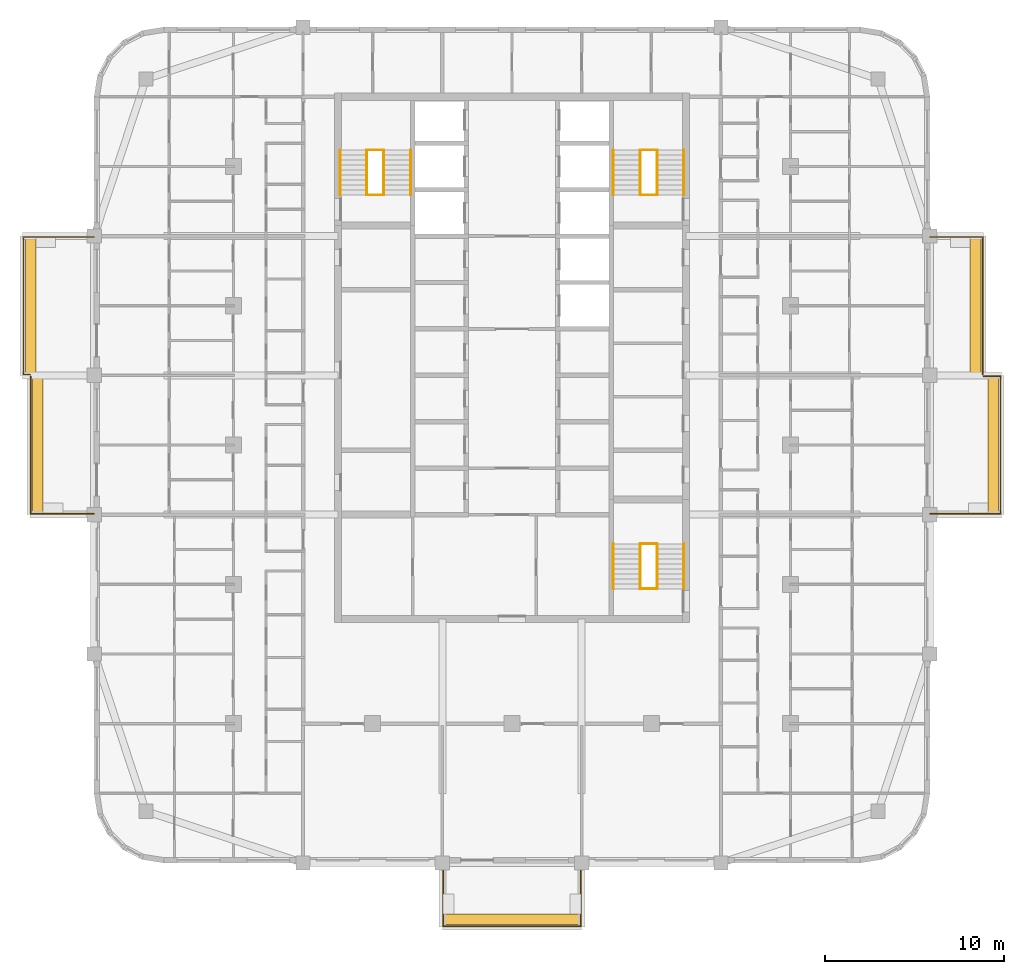
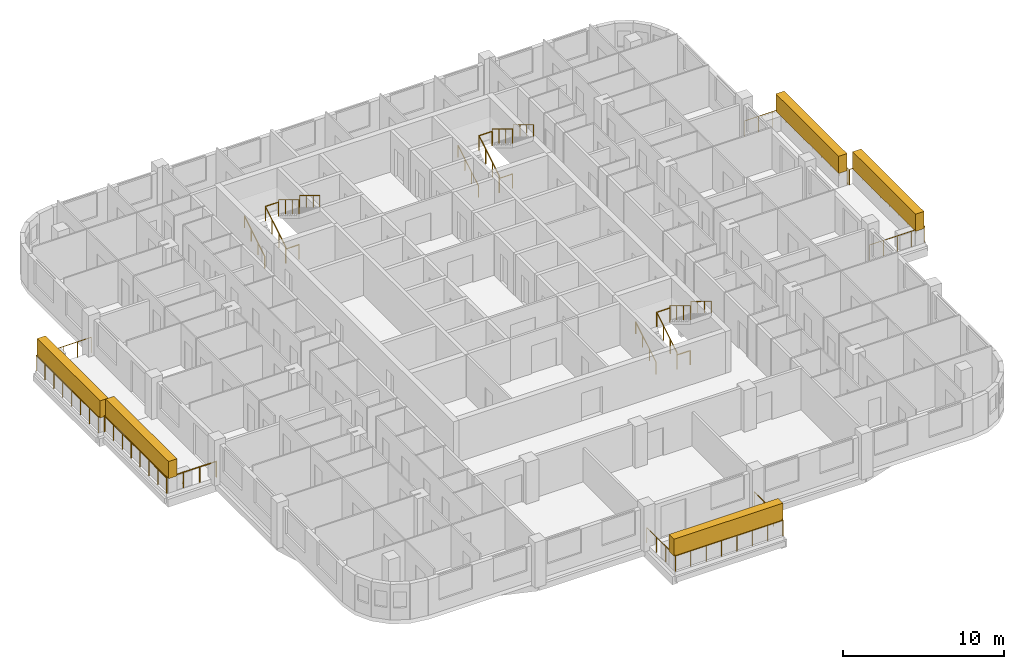
# One storey, part 15 of 15: 23 railings, 5 coverings, 3 elements without a shape of their own.
"""IFC4 building model written with IfcOpenShell, lengths in metres."""

from ifc_helpers import new_model, si_unit, direction, frame, origin, origin_2d, place, context, subcontext, project, spatial, rectangle, circle, extrude, material, layer, layer_set, type_object, element, aggregate, save


model = new_model("IFC4")

# Units and contexts
model_context = context("Model", 3, precision=1e-05, world=origin(), true_north=direction((0.0, 1.0)))
body_context = subcontext(model_context, "Body", "Model", "MODEL_VIEW")
ifc_project = project(units=[si_unit("LENGTHUNIT", "METRE"), si_unit("AREAUNIT", "SQUARE_METRE"), si_unit("VOLUMEUNIT", "CUBIC_METRE"), si_unit("PLANEANGLEUNIT", "RADIAN"), si_unit("MASSUNIT", "GRAM", prefix="KILO")], contexts=[model_context])

# Site, building, storey
site_placement = place(None, origin())
site = spatial("IfcSite", under=ifc_project, at=site_placement, CompositionType="ELEMENT")
building_placement = place(site_placement, origin())
building = spatial("IfcBuilding", under=site, at=building_placement, Name="Ludao Terraces", CompositionType="ELEMENT")
storey_placement = place(building_placement, frame((0.0, 0.0, 197.300048828125)))
storey = spatial("IfcBuildingStorey", under=building, at=storey_placement, Name="L53", CompositionType="ELEMENT", Elevation=197.300048828125)

# Railings
ifc_material_1 = material(Name="Stainless steel 304", Category="steel")
railing_type_1 = type_object("IfcRailingType", Name="ENV Balcony glass guard 1200", PredefinedType="GUARDRAIL", material=ifc_material_1)
railing_1_placement = place(storey_placement, frame((81.14990234375, 41.60009765625, 0.0)))
element("IfcRailing", 1, at=railing_1_placement, inside=storey, type_object=railing_type_1, Name="Balcony guard L53 S1", PredefinedType="GUARDRAIL", context=body_context, shape_type="SweptSolid", body=[
    extrude(circle(Radius=0.02392578125, at=origin_2d()), frame((0.0, 0.0, 1.17578125), z_axis=(0.0, -1.0, 0.0), x_axis=(1.0, 0.0, 0.0)), (0.0, 0.0, 1.0), 3.550048828125),
    extrude(circle(Radius=0.02392578125, at=origin_2d()), frame((0.0, -3.550048828125, 1.17578125), z_axis=(1.0, 0.0, 0.0), x_axis=(0.0, 1.0, 0.0)), (0.0, 0.0, 1.0), 7.7001953125),
    extrude(circle(Radius=0.02392578125, at=origin_2d()), frame((7.7001953125, -3.550048828125, 1.17578125), z_axis=(0.0, 1.0, 0.0), x_axis=(-1.0, 0.0, 0.0)), (0.0, 0.0, 1.0), 3.550048828125),
    extrude(circle(Radius=0.02099609375, at=origin_2d()), origin(), (0.0, 0.0, 1.0), 1.15185546875),
    extrude(circle(Radius=0.02099609375, at=origin_2d()), frame((0.0, -1.183349609375, 0.0)), (0.0, 0.0, 1.0), 1.15185546875),
    extrude(circle(Radius=0.02099609375, at=origin_2d()), frame((0.0, -2.36669921875, 0.0)), (0.0, 0.0, 1.0), 1.15185546875),
    extrude(circle(Radius=0.02099609375, at=origin_2d()), frame((0.0, -3.550048828125, 0.0)), (0.0, 0.0, 1.0), 1.15185546875),
    extrude(circle(Radius=0.02099609375, at=origin_2d()), frame((1.10009765625, -3.550048828125, 0.0)), (0.0, 0.0, 1.0), 1.15185546875),
    extrude(circle(Radius=0.02099609375, at=origin_2d()), frame((2.199951171875, -3.550048828125, 0.0)), (0.0, 0.0, 1.0), 1.15185546875),
    extrude(circle(Radius=0.02099609375, at=origin_2d()), frame((3.300048828125, -3.550048828125, 0.0)), (0.0, 0.0, 1.0), 1.15185546875),
    extrude(circle(Radius=0.02099609375, at=origin_2d()), frame((4.400146484375, -3.550048828125, 0.0)), (0.0, 0.0, 1.0), 1.15185546875),
    extrude(circle(Radius=0.02099609375, at=origin_2d()), frame((5.500244140625, -3.550048828125, 0.0)), (0.0, 0.0, 1.0), 1.15185546875),
    extrude(circle(Radius=0.02099609375, at=origin_2d()), frame((6.60009765625, -3.550048828125, 0.0)), (0.0, 0.0, 1.0), 1.15185546875),
    extrude(circle(Radius=0.02099609375, at=origin_2d()), frame((7.7001953125, -3.550048828125, 0.0)), (0.0, 0.0, 1.0), 1.15185546875),
    extrude(circle(Radius=0.02099609375, at=origin_2d()), frame((7.7001953125, -2.36669921875, 0.0)), (0.0, 0.0, 1.0), 1.15185546875),
    extrude(circle(Radius=0.02099609375, at=origin_2d()), frame((7.7001953125, -1.183349609375, 0.0)), (0.0, 0.0, 1.0), 1.15185546875),
    extrude(circle(Radius=0.02099609375, at=origin_2d()), frame((7.7001953125, 0.0, 0.0)), (0.0, 0.0, 1.0), 1.15185546875),
])
railing_2_placement = place(storey_placement, frame((108.39990234375, 61.14990234375, 0.0)))
element("IfcRailing", 2, at=railing_2_placement, inside=storey, type_object=railing_type_1, Name="Balcony guard L53 E1", PredefinedType="GUARDRAIL", context=body_context, shape_type="SweptSolid", body=[
    extrude(circle(Radius=0.02392578125, at=origin_2d()), frame((0.0, 0.0, 1.17578125), z_axis=(1.0, 0.0, 0.0), x_axis=(0.0, 1.0, 0.0)), (0.0, 0.0, 1.0), 3.9501953125),
    extrude(circle(Radius=0.02392578125, at=origin_2d()), frame((3.9501953125, 0.0, 1.17578125), z_axis=(0.0, 1.0, 0.0), x_axis=(-1.0, 0.0, 0.0)), (0.0, 0.0, 1.0), 7.7001953125),
    extrude(circle(Radius=0.02392578125, at=origin_2d()), frame((3.9501953125, 7.7001953125, 1.17578125), z_axis=(-1.0, 0.0, 0.0), x_axis=(0.0, -1.0, 0.0)), (0.0, 0.0, 1.0), 0.9501953125),
    extrude(circle(Radius=0.02099609375, at=origin_2d()), origin(), (0.0, 0.0, 1.0), 1.15185546875),
    extrude(circle(Radius=0.02099609375, at=origin_2d()), frame((0.987548828125, 0.0, 0.0)), (0.0, 0.0, 1.0), 1.15185546875),
    extrude(circle(Radius=0.02099609375, at=origin_2d()), frame((1.97509765625, 0.0, 0.0)), (0.0, 0.0, 1.0), 1.15185546875),
    extrude(circle(Radius=0.02099609375, at=origin_2d()), frame((2.962646484375, 0.0, 0.0)), (0.0, 0.0, 1.0), 1.15185546875),
    extrude(circle(Radius=0.02099609375, at=origin_2d()), frame((3.9501953125, 0.0, 0.0)), (0.0, 0.0, 1.0), 1.15185546875),
    extrude(circle(Radius=0.02099609375, at=origin_2d()), frame((3.9501953125, 1.10009765625, 0.0)), (0.0, 0.0, 1.0), 1.15185546875),
    extrude(circle(Radius=0.02099609375, at=origin_2d()), frame((3.9501953125, 2.199951171875, 0.0)), (0.0, 0.0, 1.0), 1.15185546875),
    extrude(circle(Radius=0.02099609375, at=origin_2d()), frame((3.9501953125, 3.300048828125, 0.0)), (0.0, 0.0, 1.0), 1.15185546875),
    extrude(circle(Radius=0.02099609375, at=origin_2d()), frame((3.9501953125, 4.400146484375, 0.0)), (0.0, 0.0, 1.0), 1.15185546875),
    extrude(circle(Radius=0.02099609375, at=origin_2d()), frame((3.9501953125, 5.500244140625, 0.0)), (0.0, 0.0, 1.0), 1.15185546875),
    extrude(circle(Radius=0.02099609375, at=origin_2d()), frame((3.9501953125, 6.60009765625, 0.0)), (0.0, 0.0, 1.0), 1.15185546875),
    extrude(circle(Radius=0.02099609375, at=origin_2d()), frame((3.9501953125, 7.7001953125, 0.0)), (0.0, 0.0, 1.0), 1.15185546875),
    extrude(circle(Radius=0.02099609375, at=origin_2d()), frame((3.0, 7.7001953125, 0.0)), (0.0, 0.0, 1.0), 1.15185546875),
])
railing_3_placement = place(storey_placement, frame((111.35009765625, 68.949951171875, 0.0)))
element("IfcRailing", 3, at=railing_3_placement, inside=storey, type_object=railing_type_1, Name="Balcony guard L53 E2", PredefinedType="GUARDRAIL", context=body_context, shape_type="SweptSolid", body=[
    extrude(circle(Radius=0.02392578125, at=origin_2d()), frame((0.0, 0.0, 1.17578125), z_axis=(0.0, 1.0, 0.0), x_axis=(-1.0, 0.0, 0.0)), (0.0, 0.0, 1.0), 7.699951171875),
    extrude(circle(Radius=0.02392578125, at=origin_2d()), frame((0.0, 7.699951171875, 1.17578125), z_axis=(-1.0, 0.0, 0.0), x_axis=(0.0, -1.0, 0.0)), (0.0, 0.0, 1.0), 2.9501953125),
    extrude(circle(Radius=0.02099609375, at=origin_2d()), origin(), (0.0, 0.0, 1.0), 1.15185546875),
    extrude(circle(Radius=0.02099609375, at=origin_2d()), frame((0.0, 1.10009765625, 0.0)), (0.0, 0.0, 1.0), 1.15185546875),
    extrude(circle(Radius=0.02099609375, at=origin_2d()), frame((0.0, 2.199951171875, 0.0)), (0.0, 0.0, 1.0), 1.15185546875),
    extrude(circle(Radius=0.02099609375, at=origin_2d()), frame((0.0, 3.300048828125, 0.0)), (0.0, 0.0, 1.0), 1.15185546875),
    extrude(circle(Radius=0.02099609375, at=origin_2d()), frame((0.0, 4.39990234375, 0.0)), (0.0, 0.0, 1.0), 1.15185546875),
    extrude(circle(Radius=0.02099609375, at=origin_2d()), frame((0.0, 5.5, 0.0)), (0.0, 0.0, 1.0), 1.15185546875),
    extrude(circle(Radius=0.02099609375, at=origin_2d()), frame((0.0, 6.599853515625, 0.0)), (0.0, 0.0, 1.0), 1.15185546875),
    extrude(circle(Radius=0.02099609375, at=origin_2d()), frame((0.0, 7.699951171875, 0.0)), (0.0, 0.0, 1.0), 1.15185546875),
    extrude(circle(Radius=0.02099609375, at=origin_2d()), frame((-0.9833984375, 7.699951171875, 0.0)), (0.0, 0.0, 1.0), 1.15185546875),
    extrude(circle(Radius=0.02099609375, at=origin_2d()), frame((-1.966796875, 7.699951171875, 0.0)), (0.0, 0.0, 1.0), 1.15185546875),
    extrude(circle(Radius=0.02099609375, at=origin_2d()), frame((-2.9501953125, 7.699951171875, 0.0)), (0.0, 0.0, 1.0), 1.15185546875),
])
railing_4_placement = place(storey_placement, frame((61.60009765625, 61.14990234375, 0.0)))
element("IfcRailing", 4, at=railing_4_placement, inside=storey, type_object=railing_type_1, Name="Balcony guard L53 W1", PredefinedType="GUARDRAIL", context=body_context, shape_type="SweptSolid", body=[
    extrude(circle(Radius=0.02392578125, at=origin_2d()), frame((0.0, 0.0, 1.17578125), z_axis=(-1.0, 0.0, 0.0), x_axis=(0.0, -1.0, 0.0)), (0.0, 0.0, 1.0), 3.550048828125),
    extrude(circle(Radius=0.02392578125, at=origin_2d()), frame((-3.550048828125, 0.0, 1.17578125), z_axis=(0.0, 1.0, 0.0), x_axis=(-1.0, 0.0, 0.0)), (0.0, 0.0, 1.0), 7.7001953125),
    extrude(circle(Radius=0.02099609375, at=origin_2d()), origin(), (0.0, 0.0, 1.0), 1.15185546875),
    extrude(circle(Radius=0.02099609375, at=origin_2d()), frame((-1.183349609375, 0.0, 0.0)), (0.0, 0.0, 1.0), 1.15185546875),
    extrude(circle(Radius=0.02099609375, at=origin_2d()), frame((-2.36669921875, 0.0, 0.0)), (0.0, 0.0, 1.0), 1.15185546875),
    extrude(circle(Radius=0.02099609375, at=origin_2d()), frame((-3.550048828125, 0.0, 0.0)), (0.0, 0.0, 1.0), 1.15185546875),
    extrude(circle(Radius=0.02099609375, at=origin_2d()), frame((-3.550048828125, 1.10009765625, 0.0)), (0.0, 0.0, 1.0), 1.15185546875),
    extrude(circle(Radius=0.02099609375, at=origin_2d()), frame((-3.550048828125, 2.199951171875, 0.0)), (0.0, 0.0, 1.0), 1.15185546875),
    extrude(circle(Radius=0.02099609375, at=origin_2d()), frame((-3.550048828125, 3.300048828125, 0.0)), (0.0, 0.0, 1.0), 1.15185546875),
    extrude(circle(Radius=0.02099609375, at=origin_2d()), frame((-3.550048828125, 4.400146484375, 0.0)), (0.0, 0.0, 1.0), 1.15185546875),
    extrude(circle(Radius=0.02099609375, at=origin_2d()), frame((-3.550048828125, 5.500244140625, 0.0)), (0.0, 0.0, 1.0), 1.15185546875),
    extrude(circle(Radius=0.02099609375, at=origin_2d()), frame((-3.550048828125, 6.60009765625, 0.0)), (0.0, 0.0, 1.0), 1.15185546875),
    extrude(circle(Radius=0.02099609375, at=origin_2d()), frame((-3.550048828125, 7.7001953125, 0.0)), (0.0, 0.0, 1.0), 1.15185546875),
])
railing_5_placement = place(storey_placement, frame((58.0, 68.949951171875, 0.0)))
element("IfcRailing", 5, at=railing_5_placement, inside=storey, type_object=railing_type_1, Name="Balcony guard L53 W2", PredefinedType="GUARDRAIL", context=body_context, shape_type="SweptSolid", body=[
    extrude(circle(Radius=0.02392578125, at=origin_2d()), frame((0.0, 0.0, 1.17578125), z_axis=(-1.0, 0.0, 0.0), x_axis=(0.0, -1.0, 0.0)), (0.0, 0.0, 1.0), 0.35009765625),
    extrude(circle(Radius=0.02392578125, at=origin_2d()), frame((-0.35009765625, 0.0, 1.17578125), z_axis=(0.0, 1.0, 0.0), x_axis=(-1.0, 0.0, 0.0)), (0.0, 0.0, 1.0), 7.699951171875),
    extrude(circle(Radius=0.02392578125, at=origin_2d()), frame((-0.35009765625, 7.699951171875, 1.17578125), z_axis=(1.0, 0.0, 0.0), x_axis=(0.0, 1.0, 0.0)), (0.0, 0.0, 1.0), 3.9501953125),
    extrude(circle(Radius=0.02099609375, at=origin_2d()), origin(), (0.0, 0.0, 1.0), 1.15185546875),
    extrude(circle(Radius=0.02099609375, at=origin_2d()), frame((-0.35009765625, 0.0, 0.0)), (0.0, 0.0, 1.0), 1.15185546875),
    extrude(circle(Radius=0.02099609375, at=origin_2d()), frame((-0.35009765625, 1.10009765625, 0.0)), (0.0, 0.0, 1.0), 1.15185546875),
    extrude(circle(Radius=0.02099609375, at=origin_2d()), frame((-0.35009765625, 2.199951171875, 0.0)), (0.0, 0.0, 1.0), 1.15185546875),
    extrude(circle(Radius=0.02099609375, at=origin_2d()), frame((-0.35009765625, 3.300048828125, 0.0)), (0.0, 0.0, 1.0), 1.15185546875),
    extrude(circle(Radius=0.02099609375, at=origin_2d()), frame((-0.35009765625, 4.39990234375, 0.0)), (0.0, 0.0, 1.0), 1.15185546875),
    extrude(circle(Radius=0.02099609375, at=origin_2d()), frame((-0.35009765625, 5.5, 0.0)), (0.0, 0.0, 1.0), 1.15185546875),
    extrude(circle(Radius=0.02099609375, at=origin_2d()), frame((-0.35009765625, 6.599853515625, 0.0)), (0.0, 0.0, 1.0), 1.15185546875),
    extrude(circle(Radius=0.02099609375, at=origin_2d()), frame((-0.35009765625, 7.699951171875, 0.0)), (0.0, 0.0, 1.0), 1.15185546875),
    extrude(circle(Radius=0.02099609375, at=origin_2d()), frame((0.637451171875, 7.699951171875, 0.0)), (0.0, 0.0, 1.0), 1.15185546875),
    extrude(circle(Radius=0.02099609375, at=origin_2d()), frame((1.625, 7.699951171875, 0.0)), (0.0, 0.0, 1.0), 1.15185546875),
    extrude(circle(Radius=0.02099609375, at=origin_2d()), frame((2.612548828125, 7.699951171875, 0.0)), (0.0, 0.0, 1.0), 1.15185546875),
    extrude(circle(Radius=0.02099609375, at=origin_2d()), frame((3.60009765625, 7.699951171875, 0.0)), (0.0, 0.0, 1.0), 1.15185546875),
])

# Coverings
ifc_material_2 = material(Name="Planting")
ifc_layer = layer(ifc_material_2, 0.60009765625)
ifc_layer_set = layer_set([ifc_layer], Name="ENV Planting hedge 600x1300")
covering_type = type_object("IfcCoveringType", Name="ENV Planting hedge 600x1300", PredefinedType="USERDEFINED", material=ifc_layer_set)
covering_placement = place(storey_placement, frame((85.0, 38.449951171875, 1.10009765625), z_axis=(0.0, 0.0, 1.0), x_axis=(1.0, 0.0, 0.0)))
element("IfcCovering", 6, at=covering_placement, inside=storey, type_object=covering_type, Name="Planting hedge L53-S1", ObjectType="PLANTING", PredefinedType="USERDEFINED", context=body_context, shape_type="SweptSolid", body=[
    extrude(rectangle(XDim=7.800048828125, YDim=0.60009765625, at=origin_2d()), origin(), (0.0, 0.0, 1.0), 1.300048828125),
])
for number, where, z_axis, x_axis, name in (
    (7, (111.949951171875, 65.0, 1.10009765625), (0.0, 0.0, 1.0), (1.0, 0.0, 0.0), "Planting hedge L53-E1"),
    (8, (110.949951171875, 72.800048828125, 1.10009765625), (0.0, 0.0, 1.0), (1.0, 0.0, 0.0), "Planting hedge L53-E2"),
    (9, (58.449951171875, 65.0, 1.10009765625), (0.0, 0.0, 1.0), (1.0, 0.0, 0.0), "Planting hedge L53-W1"),
    (10, (58.050048828125, 72.800048828125, 1.10009765625), (0.0, 0.0, 1.0), (1.0, 0.0, 0.0), "Planting hedge L53-W2"),
):
    element("IfcCovering", number, at=place(storey_placement, frame(where, z_axis=z_axis, x_axis=x_axis)), inside=storey, type_object=covering_type, Name=name, ObjectType="PLANTING", PredefinedType="USERDEFINED", context=body_context, shape_type="SweptSolid", body=[
        extrude(rectangle(XDim=0.60009765625, YDim=7.800048828125, at=origin_2d()), origin(), (0.0, 0.0, 1.0), 1.300048828125),
    ])

# Stair, railings
ifc_material_3 = material(Name="Concrete C40", Category="concrete")
stair_type = type_object("IfcStairType", Name="INT Stair", PredefinedType="HALF_TURN_STAIR", material=ifc_material_3)
stair_1_placement = place(storey_placement, origin())
stair_1 = element("IfcStair", 11, at=stair_1_placement, inside=storey, type_object=stair_type, Name="EXIT STAIR 1", PredefinedType="HALF_TURN_STAIR")
railing_type_2 = type_object("IfcRailingType", Name="INT Stair guard 1100", PredefinedType="GUARDRAIL", material=ifc_material_1)
railing_6_placement = place(storey_placement, frame((76.875, 79.0, 0.169921875)))
railing_6 = element("IfcRailing", 12, at=railing_6_placement, type_object=railing_type_2, Name="ST-L53-S1-R1G", PredefinedType="GUARDRAIL", context=body_context, shape_type="SweptSolid", body=[
    extrude(circle(Radius=0.02392578125, at=origin_2d()), frame((0.0, 0.0, 1.076171875), z_axis=(0.0, 0.85478489116, 0.518982456201), x_axis=(-1.0, 0.0, 0.0)), (0.0, 0.0, 1.0), 2.9482421875),
    extrude(circle(Radius=0.02099609375, at=origin_2d()), origin(), (0.0, 0.0, 1.0), 1.052001953125),
    extrude(circle(Radius=0.02099609375, at=origin_2d()), frame((0.0, 0.840087890625, 0.510009765625)), (0.0, 0.0, 1.0), 1.052001953125),
    extrude(circle(Radius=0.02099609375, at=origin_2d()), frame((0.0, 1.679931640625, 1.02001953125)), (0.0, 0.0, 1.0), 1.052001953125),
    extrude(circle(Radius=0.02099609375, at=origin_2d()), frame((0.0, 2.52001953125, 1.530029296875)), (0.0, 0.0, 1.0), 1.052001953125),
])
railing_7_placement = place(storey_placement, frame((77.824951171875, 81.52001953125, 1.869873046875)))
railing_7 = element("IfcRailing", 13, at=railing_7_placement, type_object=railing_type_2, Name="ST-L53-S1-R2G", PredefinedType="GUARDRAIL", context=body_context, shape_type="SweptSolid", body=[
    extrude(circle(Radius=0.02392578125, at=origin_2d()), frame((0.0, 0.0, 1.076171875), z_axis=(0.0, -0.85478489116, 0.518982456201), x_axis=(1.0, 0.0, 0.0)), (0.0, 0.0, 1.0), 2.9482421875),
    extrude(circle(Radius=0.02099609375, at=origin_2d()), origin(), (0.0, 0.0, 1.0), 1.052001953125),
    extrude(circle(Radius=0.02099609375, at=origin_2d()), frame((0.0, -0.840087890625, 0.510009765625)), (0.0, 0.0, 1.0), 1.052001953125),
    extrude(circle(Radius=0.02099609375, at=origin_2d()), frame((0.0, -1.679931640625, 1.02001953125)), (0.0, 0.0, 1.0), 1.052001953125),
    extrude(circle(Radius=0.02099609375, at=origin_2d()), frame((0.0, -2.52001953125, 1.530029296875)), (0.0, 0.0, 1.0), 1.052001953125),
])
railing_8_placement = place(storey_placement, frame((76.875, 81.52001953125, 1.699951171875)))
railing_8 = element("IfcRailing", 14, at=railing_8_placement, type_object=railing_type_2, Name="ST-L53-S1-E1G", PredefinedType="GUARDRAIL", context=body_context, shape_type="SweptSolid", body=[
    extrude(circle(Radius=0.02392578125, at=origin_2d()), frame((0.0, 0.0, 1.076171875), z_axis=(1.0, 0.0, 0.0), x_axis=(0.0, 1.0, 0.0)), (0.0, 0.0, 1.0), 0.949951171875),
    extrude(circle(Radius=0.02099609375, at=origin_2d()), origin(), (0.0, 0.0, 1.0), 1.052001953125),
    extrude(circle(Radius=0.02099609375, at=origin_2d()), frame((0.949951171875, 0.0, 0.0)), (0.0, 0.0, 1.0), 1.052001953125),
])
railing_9_placement = place(storey_placement, frame((76.875, 79.0, 0.0)))
railing_9 = element("IfcRailing", 15, at=railing_9_placement, type_object=railing_type_2, Name="ST-L53-S1-E2G", PredefinedType="GUARDRAIL", context=body_context, shape_type="SweptSolid", body=[
    extrude(circle(Radius=0.02392578125, at=origin_2d()), frame((0.0, 0.0, 1.076171875), z_axis=(1.0, 0.0, 0.0), x_axis=(0.0, 1.0, 0.0)), (0.0, 0.0, 1.0), 0.949951171875),
    extrude(circle(Radius=0.02099609375, at=origin_2d()), origin(), (0.0, 0.0, 1.0), 1.052001953125),
    extrude(circle(Radius=0.02099609375, at=origin_2d()), frame((0.949951171875, 0.0, 0.0)), (0.0, 0.0, 1.0), 1.052001953125),
])

stair_2_placement = place(storey_placement, origin())
stair_2 = element("IfcStair", 16, at=stair_2_placement, inside=storey, type_object=stair_type, Name="EXIT STAIR 2", PredefinedType="HALF_TURN_STAIR")
railing_10_placement = place(storey_placement, frame((92.175048828125, 79.0, 0.169921875)))
railing_10 = element("IfcRailing", 17, at=railing_10_placement, type_object=railing_type_2, Name="ST-L53-S2-R1G", PredefinedType="GUARDRAIL", context=body_context, shape_type="SweptSolid", body=[
    extrude(circle(Radius=0.02392578125, at=origin_2d()), frame((0.0, 0.0, 1.076171875), z_axis=(0.0, 0.85478489116, 0.518982456201), x_axis=(-1.0, 0.0, 0.0)), (0.0, 0.0, 1.0), 2.9482421875),
    extrude(circle(Radius=0.02099609375, at=origin_2d()), origin(), (0.0, 0.0, 1.0), 1.052001953125),
    extrude(circle(Radius=0.02099609375, at=origin_2d()), frame((0.0, 0.840087890625, 0.510009765625)), (0.0, 0.0, 1.0), 1.052001953125),
    extrude(circle(Radius=0.02099609375, at=origin_2d()), frame((0.0, 1.679931640625, 1.02001953125)), (0.0, 0.0, 1.0), 1.052001953125),
    extrude(circle(Radius=0.02099609375, at=origin_2d()), frame((0.0, 2.52001953125, 1.530029296875)), (0.0, 0.0, 1.0), 1.052001953125),
])
railing_11_placement = place(storey_placement, frame((93.125, 81.52001953125, 1.869873046875)))
railing_11 = element("IfcRailing", 18, at=railing_11_placement, type_object=railing_type_2, Name="ST-L53-S2-R2G", PredefinedType="GUARDRAIL", context=body_context, shape_type="SweptSolid", body=[
    extrude(circle(Radius=0.02392578125, at=origin_2d()), frame((0.0, 0.0, 1.076171875), z_axis=(0.0, -0.85478489116, 0.518982456201), x_axis=(1.0, 0.0, 0.0)), (0.0, 0.0, 1.0), 2.9482421875),
    extrude(circle(Radius=0.02099609375, at=origin_2d()), origin(), (0.0, 0.0, 1.0), 1.052001953125),
    extrude(circle(Radius=0.02099609375, at=origin_2d()), frame((0.0, -0.840087890625, 0.510009765625)), (0.0, 0.0, 1.0), 1.052001953125),
    extrude(circle(Radius=0.02099609375, at=origin_2d()), frame((0.0, -1.679931640625, 1.02001953125)), (0.0, 0.0, 1.0), 1.052001953125),
    extrude(circle(Radius=0.02099609375, at=origin_2d()), frame((0.0, -2.52001953125, 1.530029296875)), (0.0, 0.0, 1.0), 1.052001953125),
])
railing_12_placement = place(storey_placement, frame((92.175048828125, 81.52001953125, 1.699951171875)))
railing_12 = element("IfcRailing", 19, at=railing_12_placement, type_object=railing_type_2, Name="ST-L53-S2-E1G", PredefinedType="GUARDRAIL", context=body_context, shape_type="SweptSolid", body=[
    extrude(circle(Radius=0.02392578125, at=origin_2d()), frame((0.0, 0.0, 1.076171875), z_axis=(1.0, 0.0, 0.0), x_axis=(0.0, 1.0, 0.0)), (0.0, 0.0, 1.0), 0.949951171875),
    extrude(circle(Radius=0.02099609375, at=origin_2d()), origin(), (0.0, 0.0, 1.0), 1.052001953125),
    extrude(circle(Radius=0.02099609375, at=origin_2d()), frame((0.949951171875, 0.0, 0.0)), (0.0, 0.0, 1.0), 1.052001953125),
])
railing_13_placement = place(storey_placement, frame((92.175048828125, 79.0, 0.0)))
railing_13 = element("IfcRailing", 20, at=railing_13_placement, type_object=railing_type_2, Name="ST-L53-S2-E2G", PredefinedType="GUARDRAIL", context=body_context, shape_type="SweptSolid", body=[
    extrude(circle(Radius=0.02392578125, at=origin_2d()), frame((0.0, 0.0, 1.076171875), z_axis=(1.0, 0.0, 0.0), x_axis=(0.0, 1.0, 0.0)), (0.0, 0.0, 1.0), 0.949951171875),
    extrude(circle(Radius=0.02099609375, at=origin_2d()), origin(), (0.0, 0.0, 1.0), 1.052001953125),
    extrude(circle(Radius=0.02099609375, at=origin_2d()), frame((0.949951171875, 0.0, 0.0)), (0.0, 0.0, 1.0), 1.052001953125),
])

stair_3_placement = place(storey_placement, origin())
stair_3 = element("IfcStair", 21, at=stair_3_placement, inside=storey, type_object=stair_type, Name="EXIT STAIR 3", PredefinedType="HALF_TURN_STAIR")
railing_14_placement = place(storey_placement, frame((92.175048828125, 56.949951171875, 0.169921875)))
railing_14 = element("IfcRailing", 22, at=railing_14_placement, type_object=railing_type_2, Name="ST-L53-S3-R1G", PredefinedType="GUARDRAIL", context=body_context, shape_type="SweptSolid", body=[
    extrude(circle(Radius=0.02392578125, at=origin_2d()), frame((0.0, 0.0, 1.076171875), z_axis=(0.0, 0.85478489116, 0.518982456201), x_axis=(-1.0, 0.0, 0.0)), (0.0, 0.0, 1.0), 2.9482421875),
    extrude(circle(Radius=0.02099609375, at=origin_2d()), origin(), (0.0, 0.0, 1.0), 1.052001953125),
    extrude(circle(Radius=0.02099609375, at=origin_2d()), frame((0.0, 0.840087890625, 0.510009765625)), (0.0, 0.0, 1.0), 1.052001953125),
    extrude(circle(Radius=0.02099609375, at=origin_2d()), frame((0.0, 1.679931640625, 1.02001953125)), (0.0, 0.0, 1.0), 1.052001953125),
    extrude(circle(Radius=0.02099609375, at=origin_2d()), frame((0.0, 2.52001953125, 1.530029296875)), (0.0, 0.0, 1.0), 1.052001953125),
])
railing_15_placement = place(storey_placement, frame((93.125, 59.469970703125, 1.869873046875)))
railing_15 = element("IfcRailing", 23, at=railing_15_placement, type_object=railing_type_2, Name="ST-L53-S3-R2G", PredefinedType="GUARDRAIL", context=body_context, shape_type="SweptSolid", body=[
    extrude(circle(Radius=0.02392578125, at=origin_2d()), frame((0.0, 0.0, 1.076171875), z_axis=(0.0, -0.85478489116, 0.518982456201), x_axis=(1.0, 0.0, 0.0)), (0.0, 0.0, 1.0), 2.9482421875),
    extrude(circle(Radius=0.02099609375, at=origin_2d()), origin(), (0.0, 0.0, 1.0), 1.052001953125),
    extrude(circle(Radius=0.02099609375, at=origin_2d()), frame((0.0, -0.840087890625, 0.510009765625)), (0.0, 0.0, 1.0), 1.052001953125),
    extrude(circle(Radius=0.02099609375, at=origin_2d()), frame((0.0, -1.679931640625, 1.02001953125)), (0.0, 0.0, 1.0), 1.052001953125),
    extrude(circle(Radius=0.02099609375, at=origin_2d()), frame((0.0, -2.52001953125, 1.530029296875)), (0.0, 0.0, 1.0), 1.052001953125),
])
railing_16_placement = place(storey_placement, frame((92.175048828125, 59.469970703125, 1.699951171875)))
railing_16 = element("IfcRailing", 24, at=railing_16_placement, type_object=railing_type_2, Name="ST-L53-S3-E1G", PredefinedType="GUARDRAIL", context=body_context, shape_type="SweptSolid", body=[
    extrude(circle(Radius=0.02392578125, at=origin_2d()), frame((0.0, 0.0, 1.076171875), z_axis=(1.0, 0.0, 0.0), x_axis=(0.0, 1.0, 0.0)), (0.0, 0.0, 1.0), 0.949951171875),
    extrude(circle(Radius=0.02099609375, at=origin_2d()), origin(), (0.0, 0.0, 1.0), 1.052001953125),
    extrude(circle(Radius=0.02099609375, at=origin_2d()), frame((0.949951171875, 0.0, 0.0)), (0.0, 0.0, 1.0), 1.052001953125),
])
railing_17_placement = place(storey_placement, frame((92.175048828125, 56.949951171875, 0.0)))
railing_17 = element("IfcRailing", 25, at=railing_17_placement, type_object=railing_type_2, Name="ST-L53-S3-E2G", PredefinedType="GUARDRAIL", context=body_context, shape_type="SweptSolid", body=[
    extrude(circle(Radius=0.02392578125, at=origin_2d()), frame((0.0, 0.0, 1.076171875), z_axis=(1.0, 0.0, 0.0), x_axis=(0.0, 1.0, 0.0)), (0.0, 0.0, 1.0), 0.949951171875),
    extrude(circle(Radius=0.02099609375, at=origin_2d()), origin(), (0.0, 0.0, 1.0), 1.052001953125),
    extrude(circle(Radius=0.02099609375, at=origin_2d()), frame((0.949951171875, 0.0, 0.0)), (0.0, 0.0, 1.0), 1.052001953125),
])

# Railing
railing_type_3 = type_object("IfcRailingType", Name="INT Stair handrail 900", PredefinedType="HANDRAIL", material=ifc_material_1)
railing_18_placement = place(storey_placement, frame((75.375, 79.0, 0.169921875)))
railing_18 = element("IfcRailing", 26, at=railing_18_placement, type_object=railing_type_3, Name="ST-L53-S1-R1H", PredefinedType="HANDRAIL", context=body_context, shape_type="SweptSolid", body=[
    extrude(circle(Radius=0.02392578125, at=origin_2d()), frame((0.0, 0.0, 0.8759765625), z_axis=(0.0, 0.85478489116, 0.518982456201), x_axis=(-1.0, 0.0, 0.0)), (0.0, 0.0, 1.0), 2.9482421875),
    extrude(circle(Radius=0.02099609375, at=origin_2d()), origin(), (0.0, 0.0, 1.0), 0.851806640625),
    extrude(circle(Radius=0.02099609375, at=origin_2d()), frame((0.0, 0.840087890625, 0.510009765625)), (0.0, 0.0, 1.0), 0.851806640625),
    extrude(circle(Radius=0.02099609375, at=origin_2d()), frame((0.0, 1.679931640625, 1.02001953125)), (0.0, 0.0, 1.0), 0.851806640625),
    extrude(circle(Radius=0.02099609375, at=origin_2d()), frame((0.0, 2.52001953125, 1.530029296875)), (0.0, 0.0, 1.0), 0.851806640625),
])

railing_19_placement = place(storey_placement, frame((79.324951171875, 81.52001953125, 1.869873046875)))
railing_19 = element("IfcRailing", 27, at=railing_19_placement, type_object=railing_type_3, Name="ST-L53-S1-R2H", PredefinedType="HANDRAIL", context=body_context, shape_type="SweptSolid", body=[
    extrude(circle(Radius=0.02392578125, at=origin_2d()), frame((0.0, 0.0, 0.8759765625), z_axis=(0.0, -0.85478489116, 0.518982456201), x_axis=(1.0, 0.0, 0.0)), (0.0, 0.0, 1.0), 2.9482421875),
    extrude(circle(Radius=0.02099609375, at=origin_2d()), origin(), (0.0, 0.0, 1.0), 0.851806640625),
    extrude(circle(Radius=0.02099609375, at=origin_2d()), frame((0.0, -0.840087890625, 0.510009765625)), (0.0, 0.0, 1.0), 0.851806640625),
    extrude(circle(Radius=0.02099609375, at=origin_2d()), frame((0.0, -1.679931640625, 1.02001953125)), (0.0, 0.0, 1.0), 0.851806640625),
    extrude(circle(Radius=0.02099609375, at=origin_2d()), frame((0.0, -2.52001953125, 1.530029296875)), (0.0, 0.0, 1.0), 0.851806640625),
])

aggregate(stair_1, [railing_6, railing_18, railing_7, railing_19, railing_8, railing_9])

railing_20_placement = place(storey_placement, frame((90.675048828125, 79.0, 0.169921875)))
railing_20 = element("IfcRailing", 28, at=railing_20_placement, type_object=railing_type_3, Name="ST-L53-S2-R1H", PredefinedType="HANDRAIL", context=body_context, shape_type="SweptSolid", body=[
    extrude(circle(Radius=0.02392578125, at=origin_2d()), frame((0.0, 0.0, 0.8759765625), z_axis=(0.0, 0.85478489116, 0.518982456201), x_axis=(-1.0, 0.0, 0.0)), (0.0, 0.0, 1.0), 2.9482421875),
    extrude(circle(Radius=0.02099609375, at=origin_2d()), origin(), (0.0, 0.0, 1.0), 0.851806640625),
    extrude(circle(Radius=0.02099609375, at=origin_2d()), frame((0.0, 0.840087890625, 0.510009765625)), (0.0, 0.0, 1.0), 0.851806640625),
    extrude(circle(Radius=0.02099609375, at=origin_2d()), frame((0.0, 1.679931640625, 1.02001953125)), (0.0, 0.0, 1.0), 0.851806640625),
    extrude(circle(Radius=0.02099609375, at=origin_2d()), frame((0.0, 2.52001953125, 1.530029296875)), (0.0, 0.0, 1.0), 0.851806640625),
])

railing_21_placement = place(storey_placement, frame((94.625, 81.52001953125, 1.869873046875)))
railing_21 = element("IfcRailing", 29, at=railing_21_placement, type_object=railing_type_3, Name="ST-L53-S2-R2H", PredefinedType="HANDRAIL", context=body_context, shape_type="SweptSolid", body=[
    extrude(circle(Radius=0.02392578125, at=origin_2d()), frame((0.0, 0.0, 0.8759765625), z_axis=(0.0, -0.85478489116, 0.518982456201), x_axis=(1.0, 0.0, 0.0)), (0.0, 0.0, 1.0), 2.9482421875),
    extrude(circle(Radius=0.02099609375, at=origin_2d()), origin(), (0.0, 0.0, 1.0), 0.851806640625),
    extrude(circle(Radius=0.02099609375, at=origin_2d()), frame((0.0, -0.840087890625, 0.510009765625)), (0.0, 0.0, 1.0), 0.851806640625),
    extrude(circle(Radius=0.02099609375, at=origin_2d()), frame((0.0, -1.679931640625, 1.02001953125)), (0.0, 0.0, 1.0), 0.851806640625),
    extrude(circle(Radius=0.02099609375, at=origin_2d()), frame((0.0, -2.52001953125, 1.530029296875)), (0.0, 0.0, 1.0), 0.851806640625),
])

aggregate(stair_2, [railing_10, railing_20, railing_11, railing_21, railing_12, railing_13])

railing_22_placement = place(storey_placement, frame((90.675048828125, 56.949951171875, 0.169921875)))
railing_22 = element("IfcRailing", 30, at=railing_22_placement, type_object=railing_type_3, Name="ST-L53-S3-R1H", PredefinedType="HANDRAIL", context=body_context, shape_type="SweptSolid", body=[
    extrude(circle(Radius=0.02392578125, at=origin_2d()), frame((0.0, 0.0, 0.8759765625), z_axis=(0.0, 0.85478489116, 0.518982456201), x_axis=(-1.0, 0.0, 0.0)), (0.0, 0.0, 1.0), 2.9482421875),
    extrude(circle(Radius=0.02099609375, at=origin_2d()), origin(), (0.0, 0.0, 1.0), 0.851806640625),
    extrude(circle(Radius=0.02099609375, at=origin_2d()), frame((0.0, 0.840087890625, 0.510009765625)), (0.0, 0.0, 1.0), 0.851806640625),
    extrude(circle(Radius=0.02099609375, at=origin_2d()), frame((0.0, 1.679931640625, 1.02001953125)), (0.0, 0.0, 1.0), 0.851806640625),
    extrude(circle(Radius=0.02099609375, at=origin_2d()), frame((0.0, 2.52001953125, 1.530029296875)), (0.0, 0.0, 1.0), 0.851806640625),
])

railing_23_placement = place(storey_placement, frame((94.625, 59.469970703125, 1.869873046875)))
railing_23 = element("IfcRailing", 31, at=railing_23_placement, type_object=railing_type_3, Name="ST-L53-S3-R2H", PredefinedType="HANDRAIL", context=body_context, shape_type="SweptSolid", body=[
    extrude(circle(Radius=0.02392578125, at=origin_2d()), frame((0.0, 0.0, 0.8759765625), z_axis=(0.0, -0.85478489116, 0.518982456201), x_axis=(1.0, 0.0, 0.0)), (0.0, 0.0, 1.0), 2.9482421875),
    extrude(circle(Radius=0.02099609375, at=origin_2d()), origin(), (0.0, 0.0, 1.0), 0.851806640625),
    extrude(circle(Radius=0.02099609375, at=origin_2d()), frame((0.0, -0.840087890625, 0.510009765625)), (0.0, 0.0, 1.0), 0.851806640625),
    extrude(circle(Radius=0.02099609375, at=origin_2d()), frame((0.0, -1.679931640625, 1.02001953125)), (0.0, 0.0, 1.0), 0.851806640625),
    extrude(circle(Radius=0.02099609375, at=origin_2d()), frame((0.0, -2.52001953125, 1.530029296875)), (0.0, 0.0, 1.0), 0.851806640625),
])

aggregate(stair_3, [railing_14, railing_22, railing_15, railing_23, railing_16, railing_17])

save(model, "model.ifc")
